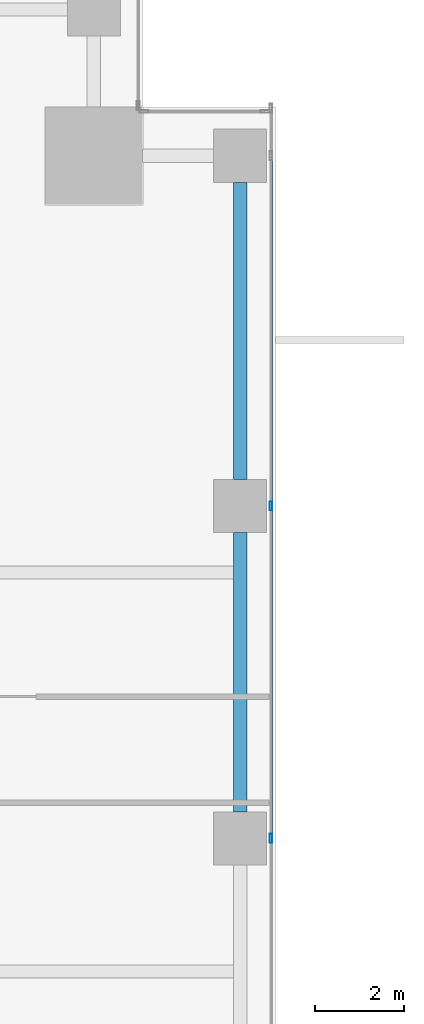
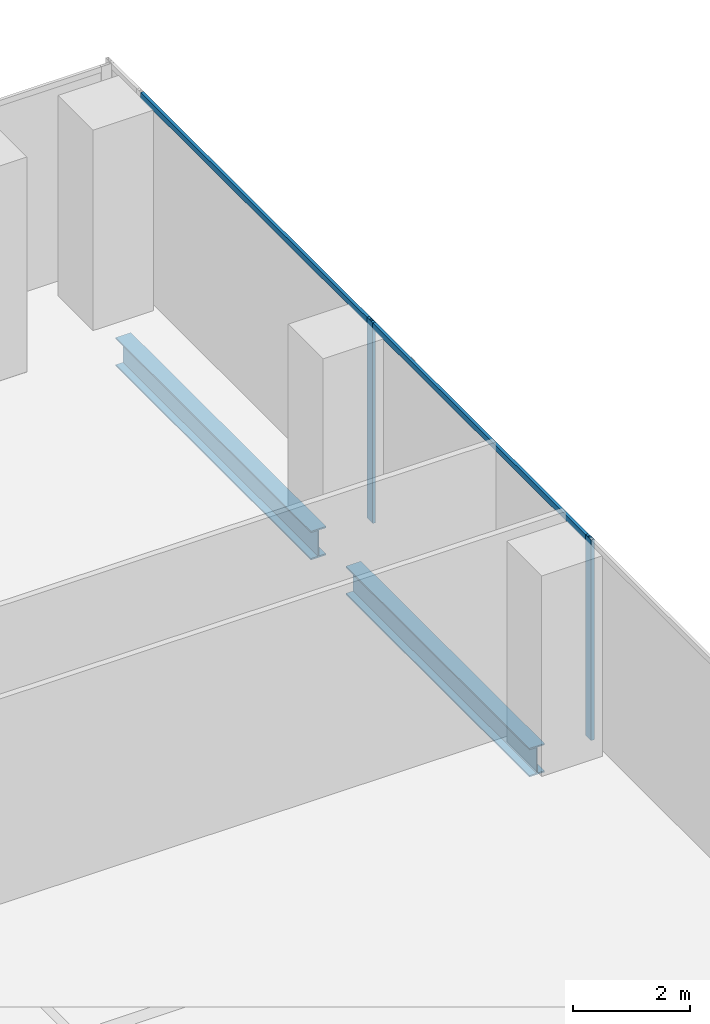
# One storey, part 17 of 33: 4 members, 2 beams, 1 element without a shape of its own.
"""IFC4 building model written with IfcOpenShell, lengths in metres."""

from ifc_helpers import new_model, si_unit, direction, frame, origin, origin_2d, place, context, subcontext, project, spatial, hollow_rectangle, i_section, extrude, source, transform, mapped, material, material_profile, profile_set, type_object, element, aggregate, save


model = new_model("IFC4")

# Units and contexts
model_context = context("Model", 3, precision=1e-05, world=origin(), true_north=direction((0.0, 1.0)))
body_context = subcontext(model_context, "Body", "Model", "MODEL_VIEW")
ifc_project = project(units=[si_unit("LENGTHUNIT", "METRE"), si_unit("AREAUNIT", "SQUARE_METRE"), si_unit("VOLUMEUNIT", "CUBIC_METRE"), si_unit("PLANEANGLEUNIT", "RADIAN"), si_unit("MASSUNIT", "GRAM", prefix="KILO")], contexts=[model_context])

# Site, building, storey
site_placement = place(None, origin())
site = spatial("IfcSite", under=ifc_project, at=site_placement, CompositionType="ELEMENT")
building_placement = place(site_placement, origin())
building = spatial("IfcBuilding", under=site, at=building_placement, Name="Khomas Fold Tower", CompositionType="ELEMENT")
storey_placement = place(building_placement, frame((0.0, 0.0, 78.0)))
storey = spatial("IfcBuildingStorey", under=building, at=storey_placement, Name="L16", CompositionType="ELEMENT", Elevation=78.0)

# Beams
ifc_material_1 = material(Name="Steel S355", Category="steel")
ifc_material_profile_1 = material_profile(ifc_material_1, i_section(OverallWidth=0.300048828125, OverallDepth=0.60009765625, WebThickness=0.015380859375, FlangeThickness=0.030029296875, at=origin_2d()), Name="HE 600 B")
ifc_profile_set_1 = profile_set([ifc_material_profile_1], Name="Steel S355")
beam_type = type_object("IfcBeamType", Name="HE 600 B spandrel SB1", PredefinedType="SPANDREL", material=ifc_profile_set_1)
shared_shape_1 = source(origin(), body_context, "Body", "SweptSolid", [
    extrude(i_section(OverallWidth=0.300048828125, OverallDepth=0.60009765625, WebThickness=0.015380859375, FlangeThickness=0.030029296875, at=origin_2d()), origin(), (0.0, 0.0, 1.0), 6.699951171875),
])
beam_1_placement = place(storey_placement, frame((53.199951171875, 42.60009765625, -0.60009765625), z_axis=(0.0, 1.0, 0.0), x_axis=(-1.0, 0.0, 0.0)))
element("IfcBeam", 1, at=beam_1_placement, inside=storey, type_object=beam_type, Name="SB1", PredefinedType="SPANDREL", context=body_context, shape_type="MappedRepresentation", body=[
    mapped(shared_shape_1, transform((0.0, 0.0, 0.0))),
])
shared_shape_2 = source(origin(), body_context, "Body", "SweptSolid", [
    extrude(i_section(OverallWidth=0.300048828125, OverallDepth=0.60009765625, WebThickness=0.015380859375, FlangeThickness=0.030029296875, at=origin_2d()), origin(), (0.0, 0.0, 1.0), 6.2998046875),
])
beam_2_placement = place(storey_placement, frame((53.199951171875, 35.10009765625, -0.60009765625), z_axis=(0.0, 1.0, 0.0), x_axis=(-1.0, 0.0, 0.0)))
element("IfcBeam", 2, at=beam_2_placement, inside=storey, type_object=beam_type, Name="SB1", PredefinedType="SPANDREL", context=body_context, shape_type="MappedRepresentation", body=[
    mapped(shared_shape_2, transform((0.0, 0.0, 0.0))),
])

# Curtain wall, members
ifc_material_2 = material(Name="Aluminium framed double glazing", Category="aluminium")
curtain_wall_type = type_object("IfcCurtainWallType", Name="SK-Unitised clear-glass wall, growing floors CW1", PredefinedType="NOTDEFINED", material=ifc_material_2)
curtain_wall_placement = place(storey_placement, origin())
curtain_wall = element("IfcCurtainWall", 3, at=curtain_wall_placement, inside=storey, type_object=curtain_wall_type, Name="CW1 run L16 03-1", PredefinedType="NOTDEFINED")
ifc_material_3 = material(Name="Aluminium", Category="aluminium")
ifc_material_profile_2 = material_profile(ifc_material_3, hollow_rectangle(XDim=0.06005859375, YDim=0.1201171875, WallThickness=0.00390625, at=origin_2d()), Name="SK-Unitised clear-glass wall, growing floors transom CW1-T")
ifc_profile_set_2 = profile_set([ifc_material_profile_2], Name="Aluminium")
member_type_1 = type_object("IfcMemberType", Name="SK-Unitised clear-glass wall, growing floors transom CW1-T", PredefinedType="USERDEFINED", material=ifc_profile_set_2)
shared_shape_3 = source(origin(), body_context, "Body", "SweptSolid", [
    extrude(hollow_rectangle(XDim=0.06005859375, YDim=0.1201171875, WallThickness=0.00390625, at=origin_2d()), origin(), (0.0, 0.0, 1.0), 7.840087890625),
])
member_1_placement = place(storey_placement, frame((53.89990234375, 42.030029296875, 4.139892578125), z_axis=(0.0, 1.0, 0.0), x_axis=(-1.0, 0.0, 0.0)))
member_1 = element("IfcMember", 4, at=member_1_placement, type_object=member_type_1, Name="CW1 transom 4", ObjectType="TRANSOM", PredefinedType="USERDEFINED", context=body_context, shape_type="MappedRepresentation", body=[
    mapped(shared_shape_3, transform((0.0, 0.0, 0.0))),
])
shared_shape_4 = source(origin(), body_context, "Body", "SweptSolid", [
    extrude(hollow_rectangle(XDim=0.06005859375, YDim=0.1201171875, WallThickness=0.00390625, at=origin_2d()), origin(), (0.0, 0.0, 1.0), 7.43994140625),
])
member_2_placement = place(storey_placement, frame((53.89990234375, 34.530029296875, 4.139892578125), z_axis=(0.0, 1.0, 0.0), x_axis=(-1.0, 0.0, 0.0)))
member_2 = element("IfcMember", 5, at=member_2_placement, type_object=member_type_1, Name="CW1 transom 3", ObjectType="TRANSOM", PredefinedType="USERDEFINED", context=body_context, shape_type="MappedRepresentation", body=[
    mapped(shared_shape_4, transform((0.0, 0.0, 0.0))),
])
ifc_material_4 = material(Name="Aluminium", Category="aluminium")
ifc_material_profile_3 = material_profile(ifc_material_4, hollow_rectangle(XDim=0.06005859375, YDim=0.199951171875, WallThickness=0.00390625, at=origin_2d()), Name="SK-Unitised clear-glass wall, growing floors mullion CW1-M")
ifc_profile_set_3 = profile_set([ifc_material_profile_3], Name="Aluminium")
member_type_2 = type_object("IfcMemberType", Name="SK-Unitised clear-glass wall, growing floors mullion CW1-M", PredefinedType="MULLION", material=ifc_profile_set_3)
shared_shape_5 = source(origin(), body_context, "Body", "SweptSolid", [
    extrude(hollow_rectangle(XDim=0.06005859375, YDim=0.199951171875, WallThickness=0.00390625, at=origin_2d()), origin(), (0.0, 0.0, 1.0), 4.199951171875),
])
member_3_placement = place(storey_placement, frame((53.89990234375, 34.5, 0.0), z_axis=(0.0, 0.0, 1.0), x_axis=(-1.0, 0.0, 0.0)))
member_3 = element("IfcMember", 6, at=member_3_placement, type_object=member_type_2, Name="CW1 mullion 3", PredefinedType="MULLION", context=body_context, shape_type="MappedRepresentation", body=[
    mapped(shared_shape_5, transform((0.0, 0.0, 0.0))),
])
member_4_placement = place(storey_placement, frame((53.89990234375, 42.0, 0.0), z_axis=(0.0, 0.0, 1.0), x_axis=(-1.0, 0.0, 0.0)))
member_4 = element("IfcMember", 7, at=member_4_placement, type_object=member_type_2, Name="CW1 mullion 4", PredefinedType="MULLION", context=body_context, shape_type="MappedRepresentation", body=[
    mapped(shared_shape_5, transform((0.0, 0.0, 0.0))),
])
aggregate(curtain_wall, [member_3, member_4, member_2, member_1])

save(model, "model.ifc")
